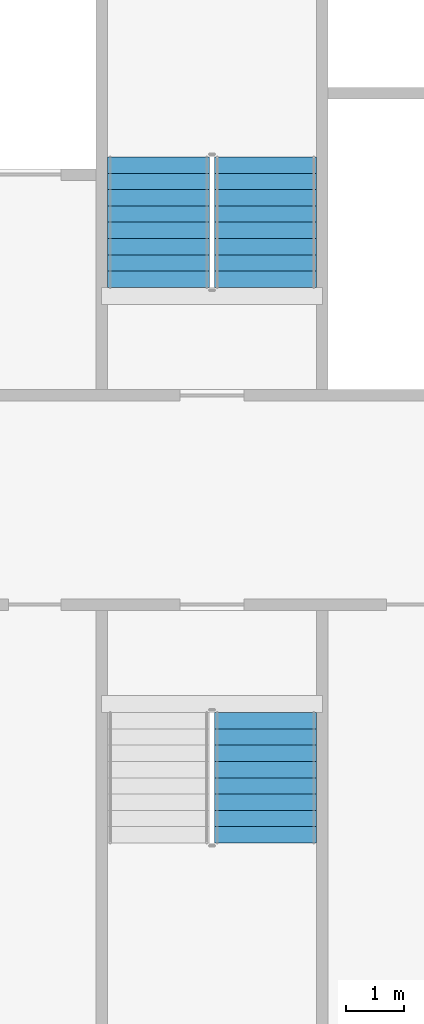
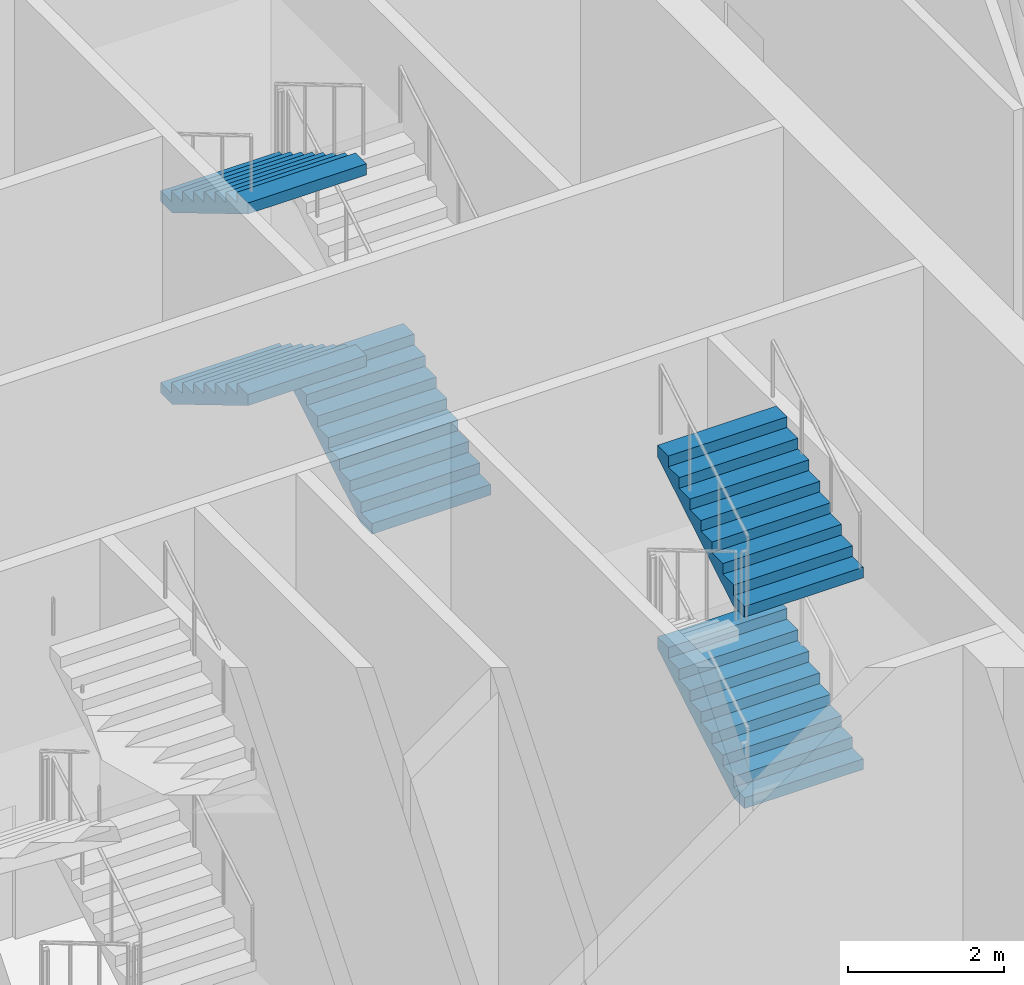
# One storey, part 27 of 40: 5 stair flights, 2 elements without a shape of their own.
"""IFC4 building model written with IfcOpenShell, lengths in metres."""

from ifc_helpers import new_model, si_unit, direction, frame, origin, place, context, subcontext, project, spatial, faceted_brep, material, type_object, element, aggregate, save


model = new_model("IFC4")

# Units and contexts
model_context = context("Model", 3, precision=1e-05, world=origin(), true_north=direction((0.0, 1.0)))
body_context = subcontext(model_context, "Body", "Model", "MODEL_VIEW")
ifc_project = project(units=[si_unit("LENGTHUNIT", "METRE"), si_unit("AREAUNIT", "SQUARE_METRE"), si_unit("VOLUMEUNIT", "CUBIC_METRE"), si_unit("PLANEANGLEUNIT", "RADIAN"), si_unit("MASSUNIT", "GRAM", prefix="KILO")], contexts=[model_context])

# Site, building, storey
site_placement = place(None, origin())
site = spatial("IfcSite", under=ifc_project, at=site_placement, CompositionType="ELEMENT")
building_placement = place(site_placement, origin())
building = spatial("IfcBuilding", under=site, at=building_placement, Name="Tarsis Ring Headquarters", CompositionType="ELEMENT")
storey_placement = place(building_placement, frame((0.0, 0.0, 354.800048828125)))
storey = spatial("IfcBuildingStorey", under=building, at=storey_placement, Name="L84", CompositionType="ELEMENT", Elevation=354.800048828125)

# Stair, stair flights
ifc_material_1 = material(Name="Core stair 1760")
stair_type = type_object("IfcStairType", Name="Core stair 1760", PredefinedType="HALF_TURN_STAIR", material=ifc_material_1)
stair_1_placement = place(storey_placement, origin())
stair_1 = element("IfcStair", 1, at=stair_1_placement, inside=storey, type_object=stair_type, Name="L84 Exit stair B", PredefinedType="HALF_TURN_STAIR")
ifc_material_2 = material(Name="Concrete C40/50", Category="concrete")
stair_flight_type = type_object("IfcStairFlightType", Name="Core stair flight 1760", PredefinedType="STRAIGHT", material=ifc_material_2)
stair_flight_1_placement = place(storey_placement, frame((5.419921875, 3.659912109375, 0.0), z_axis=(0.0, 0.0, 1.0), x_axis=(0.0, 1.0, 0.0)))
stair_flight_1 = element("IfcStairFlight", 2, at=stair_flight_1_placement, type_object=stair_flight_type, Name="Stair ST2 flight 1", NumberOfRisers=9, NumberOfTreads=8, PredefinedType="STRAIGHT", RiserHeight=0.166666667, TreadLength=0.28, context=body_context, shape_type="Brep", body=[
    faceted_brep([(0.0, 0.8798828125, 0.0), (0.0, 0.8798828125, 0.166748046875), (0.280029296875, 0.8798828125, 0.166748046875), (0.280029296875, 0.8798828125, 0.333251953125), (0.56005859375, 0.8798828125, 0.333251953125), (0.56005859375, 0.8798828125, 0.5), (0.840087890625, 0.8798828125, 0.5), (0.840087890625, 0.8798828125, 0.666748046875), (1.1201171875, 0.8798828125, 0.666748046875), (1.1201171875, 0.8798828125, 0.833251953125), (1.39990234375, 0.8798828125, 0.833251953125), (1.39990234375, 0.8798828125, 1.0), (1.679931640625, 0.8798828125, 1.0), (1.679931640625, 0.8798828125, 1.166748046875), (1.9599609375, 0.8798828125, 1.166748046875), (1.9599609375, 0.8798828125, 1.333251953125), (2.239990234375, 0.8798828125, 1.333251953125), (2.239990234375, 0.8798828125, 1.158935546875), (0.29296875, 0.8798828125, 0.0), (0.29296875, -0.8798828125, 0.0), (2.239990234375, -0.8798828125, 1.158935546875), (2.239990234375, -0.8798828125, 1.333251953125), (1.9599609375, -0.8798828125, 1.333251953125), (1.9599609375, -0.8798828125, 1.166748046875), (1.679931640625, -0.8798828125, 1.166748046875), (1.679931640625, -0.8798828125, 1.0), (1.39990234375, -0.8798828125, 1.0), (1.39990234375, -0.8798828125, 0.833251953125), (1.1201171875, -0.8798828125, 0.833251953125), (1.1201171875, -0.8798828125, 0.666748046875), (0.840087890625, -0.8798828125, 0.666748046875), (0.840087890625, -0.8798828125, 0.5), (0.56005859375, -0.8798828125, 0.5), (0.56005859375, -0.8798828125, 0.333251953125), (0.280029296875, -0.8798828125, 0.333251953125), (0.280029296875, -0.8798828125, 0.166748046875), (0.0, -0.8798828125, 0.166748046875), (0.0, -0.8798828125, 0.0), (0.0, -0.43994140625, 0.166748046875), (0.0, -0.43994140625, 0.0), (0.0, 0.0, 0.166748046875), (0.0, 0.0, 0.0), (0.0, 0.43994140625, 0.166748046875), (0.0, 0.43994140625, 0.0), (0.280029296875, -0.43994140625, 0.166748046875), (0.280029296875, 0.0, 0.166748046875), (0.280029296875, 0.43994140625, 0.166748046875), (0.280029296875, -0.43994140625, 0.333251953125), (0.280029296875, 0.0, 0.333251953125), (0.280029296875, 0.43994140625, 0.333251953125), (0.56005859375, -0.43994140625, 0.333251953125), (0.56005859375, 0.0, 0.333251953125), (0.56005859375, 0.43994140625, 0.333251953125), (0.56005859375, -0.43994140625, 0.5), (0.56005859375, 0.0, 0.5), (0.56005859375, 0.43994140625, 0.5), (0.840087890625, -0.43994140625, 0.5), (0.840087890625, 0.0, 0.5), (0.840087890625, 0.43994140625, 0.5), (0.840087890625, -0.43994140625, 0.666748046875), (0.840087890625, 0.0, 0.666748046875), (0.840087890625, 0.43994140625, 0.666748046875), (1.1201171875, -0.43994140625, 0.666748046875), (1.1201171875, 0.0, 0.666748046875), (1.1201171875, 0.43994140625, 0.666748046875), (1.1201171875, -0.43994140625, 0.833251953125), (1.1201171875, 0.0, 0.833251953125), (1.1201171875, 0.43994140625, 0.833251953125), (1.39990234375, -0.43994140625, 0.833251953125), (1.39990234375, 0.0, 0.833251953125), (1.39990234375, 0.43994140625, 0.833251953125), (1.39990234375, -0.43994140625, 1.0), (1.39990234375, 0.0, 1.0), (1.39990234375, 0.43994140625, 1.0), (1.679931640625, -0.43994140625, 1.0), (1.679931640625, 0.0, 1.0), (1.679931640625, 0.43994140625, 1.0), (1.679931640625, -0.43994140625, 1.166748046875), (1.679931640625, 0.0, 1.166748046875), (1.679931640625, 0.43994140625, 1.166748046875), (1.9599609375, -0.43994140625, 1.166748046875), (1.9599609375, 0.0, 1.166748046875), (1.9599609375, 0.43994140625, 1.166748046875), (1.9599609375, -0.43994140625, 1.333251953125), (1.9599609375, 0.0, 1.333251953125), (1.9599609375, 0.43994140625, 1.333251953125), (2.239990234375, -0.43994140625, 1.333251953125), (2.239990234375, 0.0, 1.333251953125), (2.239990234375, 0.43994140625, 1.333251953125), (2.239990234375, -0.43994140625, 1.158935546875), (2.239990234375, 0.0, 1.158935546875), (2.239990234375, 0.43994140625, 1.158935546875), (0.29296875, -0.43994140625, 0.0), (0.29296875, 0.0, 0.0), (0.29296875, 0.43994140625, 0.0)], [[[0, 1, 2, 3, 4, 5, 6, 7, 8, 9, 10, 11, 12, 13, 14, 15, 16, 17, 18]], [[19, 20, 21, 22, 23, 24, 25, 26, 27, 28, 29, 30, 31, 32, 33, 34, 35, 36, 37]], [[37, 36, 38, 39]], [[39, 38, 40, 41]], [[41, 40, 42, 43]], [[43, 42, 1, 0]], [[36, 35, 44, 38]], [[38, 44, 45, 40]], [[40, 45, 46, 42]], [[42, 46, 2, 1]], [[35, 34, 47, 44]], [[44, 47, 48, 45]], [[45, 48, 49, 46]], [[46, 49, 3, 2]], [[34, 33, 50, 47]], [[47, 50, 51, 48]], [[48, 51, 52, 49]], [[49, 52, 4, 3]], [[33, 32, 53, 50]], [[50, 53, 54, 51]], [[51, 54, 55, 52]], [[52, 55, 5, 4]], [[32, 31, 56, 53]], [[53, 56, 57, 54]], [[54, 57, 58, 55]], [[55, 58, 6, 5]], [[31, 30, 59, 56]], [[56, 59, 60, 57]], [[57, 60, 61, 58]], [[58, 61, 7, 6]], [[30, 29, 62, 59]], [[59, 62, 63, 60]], [[60, 63, 64, 61]], [[61, 64, 8, 7]], [[29, 28, 65, 62]], [[62, 65, 66, 63]], [[63, 66, 67, 64]], [[64, 67, 9, 8]], [[28, 27, 68, 65]], [[65, 68, 69, 66]], [[66, 69, 70, 67]], [[67, 70, 10, 9]], [[27, 26, 71, 68]], [[68, 71, 72, 69]], [[69, 72, 73, 70]], [[70, 73, 11, 10]], [[26, 25, 74, 71]], [[71, 74, 75, 72]], [[72, 75, 76, 73]], [[73, 76, 12, 11]], [[25, 24, 77, 74]], [[74, 77, 78, 75]], [[75, 78, 79, 76]], [[76, 79, 13, 12]], [[24, 23, 80, 77]], [[77, 80, 81, 78]], [[78, 81, 82, 79]], [[79, 82, 14, 13]], [[23, 22, 83, 80]], [[80, 83, 84, 81]], [[81, 84, 85, 82]], [[82, 85, 15, 14]], [[22, 21, 86, 83]], [[83, 86, 87, 84]], [[84, 87, 88, 85]], [[85, 88, 16, 15]], [[21, 20, 89, 86]], [[86, 89, 90, 87]], [[87, 90, 91, 88]], [[88, 91, 17, 16]], [[20, 19, 92, 89]], [[89, 92, 93, 90]], [[90, 93, 94, 91]], [[91, 94, 18, 17]], [[19, 37, 39, 92]], [[92, 39, 41, 93]], [[93, 41, 43, 94]], [[94, 43, 0, 18]]]),
])
stair_flight_2_placement = place(storey_placement, frame((3.580078125, 5.89990234375, 1.5), z_axis=(0.0, 0.0, 1.0), x_axis=(0.0, -1.0, 0.0)))
stair_flight_2 = element("IfcStairFlight", 3, at=stair_flight_2_placement, type_object=stair_flight_type, Name="Stair ST2 flight 2", NumberOfRisers=9, NumberOfTreads=8, PredefinedType="STRAIGHT", RiserHeight=0.166666667, TreadLength=0.28, context=body_context, shape_type="Brep", body=[
    faceted_brep([(0.0, 0.8798828125, 0.0), (0.0, 0.8798828125, 0.166748046875), (0.280029296875, 0.8798828125, 0.166748046875), (0.280029296875, 0.8798828125, 0.333251953125), (0.56005859375, 0.8798828125, 0.333251953125), (0.56005859375, 0.8798828125, 0.5), (0.840087890625, 0.8798828125, 0.5), (0.840087890625, 0.8798828125, 0.666748046875), (1.1201171875, 0.8798828125, 0.666748046875), (1.1201171875, 0.8798828125, 0.833251953125), (1.39990234375, 0.8798828125, 0.833251953125), (1.39990234375, 0.8798828125, 1.0), (1.679931640625, 0.8798828125, 1.0), (1.679931640625, 0.8798828125, 1.166748046875), (1.9599609375, 0.8798828125, 1.166748046875), (1.9599609375, 0.8798828125, 1.333251953125), (2.239990234375, 0.8798828125, 1.333251953125), (2.239990234375, 0.8798828125, 1.158935546875), (0.29296875, 0.8798828125, 0.0), (0.29296875, -0.8798828125, 0.0), (2.239990234375, -0.8798828125, 1.158935546875), (2.239990234375, -0.8798828125, 1.333251953125), (1.9599609375, -0.8798828125, 1.333251953125), (1.9599609375, -0.8798828125, 1.166748046875), (1.679931640625, -0.8798828125, 1.166748046875), (1.679931640625, -0.8798828125, 1.0), (1.39990234375, -0.8798828125, 1.0), (1.39990234375, -0.8798828125, 0.833251953125), (1.1201171875, -0.8798828125, 0.833251953125), (1.1201171875, -0.8798828125, 0.666748046875), (0.840087890625, -0.8798828125, 0.666748046875), (0.840087890625, -0.8798828125, 0.5), (0.56005859375, -0.8798828125, 0.5), (0.56005859375, -0.8798828125, 0.333251953125), (0.280029296875, -0.8798828125, 0.333251953125), (0.280029296875, -0.8798828125, 0.166748046875), (0.0, -0.8798828125, 0.166748046875), (0.0, -0.8798828125, 0.0), (0.0, -0.43994140625, 0.166748046875), (0.0, -0.43994140625, 0.0), (0.0, 0.0, 0.166748046875), (0.0, 0.0, 0.0), (0.0, 0.43994140625, 0.166748046875), (0.0, 0.43994140625, 0.0), (0.280029296875, -0.43994140625, 0.166748046875), (0.280029296875, 0.0, 0.166748046875), (0.280029296875, 0.43994140625, 0.166748046875), (0.280029296875, -0.43994140625, 0.333251953125), (0.280029296875, 0.0, 0.333251953125), (0.280029296875, 0.43994140625, 0.333251953125), (0.56005859375, -0.43994140625, 0.333251953125), (0.56005859375, 0.0, 0.333251953125), (0.56005859375, 0.43994140625, 0.333251953125), (0.56005859375, -0.43994140625, 0.5), (0.56005859375, 0.0, 0.5), (0.56005859375, 0.43994140625, 0.5), (0.840087890625, -0.43994140625, 0.5), (0.840087890625, 0.0, 0.5), (0.840087890625, 0.43994140625, 0.5), (0.840087890625, -0.43994140625, 0.666748046875), (0.840087890625, 0.0, 0.666748046875), (0.840087890625, 0.43994140625, 0.666748046875), (1.1201171875, -0.43994140625, 0.666748046875), (1.1201171875, 0.0, 0.666748046875), (1.1201171875, 0.43994140625, 0.666748046875), (1.1201171875, -0.43994140625, 0.833251953125), (1.1201171875, 0.0, 0.833251953125), (1.1201171875, 0.43994140625, 0.833251953125), (1.39990234375, -0.43994140625, 0.833251953125), (1.39990234375, 0.0, 0.833251953125), (1.39990234375, 0.43994140625, 0.833251953125), (1.39990234375, -0.43994140625, 1.0), (1.39990234375, 0.0, 1.0), (1.39990234375, 0.43994140625, 1.0), (1.679931640625, -0.43994140625, 1.0), (1.679931640625, 0.0, 1.0), (1.679931640625, 0.43994140625, 1.0), (1.679931640625, -0.43994140625, 1.166748046875), (1.679931640625, 0.0, 1.166748046875), (1.679931640625, 0.43994140625, 1.166748046875), (1.9599609375, -0.43994140625, 1.166748046875), (1.9599609375, 0.0, 1.166748046875), (1.9599609375, 0.43994140625, 1.166748046875), (1.9599609375, -0.43994140625, 1.333251953125), (1.9599609375, 0.0, 1.333251953125), (1.9599609375, 0.43994140625, 1.333251953125), (2.239990234375, -0.43994140625, 1.333251953125), (2.239990234375, 0.0, 1.333251953125), (2.239990234375, 0.43994140625, 1.333251953125), (2.239990234375, -0.43994140625, 1.158935546875), (2.239990234375, 0.0, 1.158935546875), (2.239990234375, 0.43994140625, 1.158935546875), (0.29296875, -0.43994140625, 0.0), (0.29296875, 0.0, 0.0), (0.29296875, 0.43994140625, 0.0)], [[[0, 1, 2, 3, 4, 5, 6, 7, 8, 9, 10, 11, 12, 13, 14, 15, 16, 17, 18]], [[19, 20, 21, 22, 23, 24, 25, 26, 27, 28, 29, 30, 31, 32, 33, 34, 35, 36, 37]], [[37, 36, 38, 39]], [[39, 38, 40, 41]], [[41, 40, 42, 43]], [[43, 42, 1, 0]], [[36, 35, 44, 38]], [[38, 44, 45, 40]], [[40, 45, 46, 42]], [[42, 46, 2, 1]], [[35, 34, 47, 44]], [[44, 47, 48, 45]], [[45, 48, 49, 46]], [[46, 49, 3, 2]], [[34, 33, 50, 47]], [[47, 50, 51, 48]], [[48, 51, 52, 49]], [[49, 52, 4, 3]], [[33, 32, 53, 50]], [[50, 53, 54, 51]], [[51, 54, 55, 52]], [[52, 55, 5, 4]], [[32, 31, 56, 53]], [[53, 56, 57, 54]], [[54, 57, 58, 55]], [[55, 58, 6, 5]], [[31, 30, 59, 56]], [[56, 59, 60, 57]], [[57, 60, 61, 58]], [[58, 61, 7, 6]], [[30, 29, 62, 59]], [[59, 62, 63, 60]], [[60, 63, 64, 61]], [[61, 64, 8, 7]], [[29, 28, 65, 62]], [[62, 65, 66, 63]], [[63, 66, 67, 64]], [[64, 67, 9, 8]], [[28, 27, 68, 65]], [[65, 68, 69, 66]], [[66, 69, 70, 67]], [[67, 70, 10, 9]], [[27, 26, 71, 68]], [[68, 71, 72, 69]], [[69, 72, 73, 70]], [[70, 73, 11, 10]], [[26, 25, 74, 71]], [[71, 74, 75, 72]], [[72, 75, 76, 73]], [[73, 76, 12, 11]], [[25, 24, 77, 74]], [[74, 77, 78, 75]], [[75, 78, 79, 76]], [[76, 79, 13, 12]], [[24, 23, 80, 77]], [[77, 80, 81, 78]], [[78, 81, 82, 79]], [[79, 82, 14, 13]], [[23, 22, 83, 80]], [[80, 83, 84, 81]], [[81, 84, 85, 82]], [[82, 85, 15, 14]], [[22, 21, 86, 83]], [[83, 86, 87, 84]], [[84, 87, 88, 85]], [[85, 88, 16, 15]], [[21, 20, 89, 86]], [[86, 89, 90, 87]], [[87, 90, 91, 88]], [[88, 91, 17, 16]], [[20, 19, 92, 89]], [[89, 92, 93, 90]], [[90, 93, 94, 91]], [[91, 94, 18, 17]], [[19, 37, 39, 92]], [[92, 39, 41, 93]], [[93, 41, 43, 94]], [[94, 43, 0, 18]]]),
])
stair_flight_3_placement = place(storey_placement, frame((3.580078125, 5.89990234375, 4.5), z_axis=(0.0, 0.0, 1.0), x_axis=(0.0, -1.0, 0.0)))
stair_flight_3 = element("IfcStairFlight", 4, at=stair_flight_3_placement, type_object=stair_flight_type, Name="Stair ST2 flight 4", NumberOfRisers=9, NumberOfTreads=8, PredefinedType="STRAIGHT", RiserHeight=0.166666667, TreadLength=0.28, context=body_context, shape_type="Brep", body=[
    faceted_brep([(0.0, 0.8798828125, 0.0), (0.0, 0.8798828125, 0.166748046875), (0.280029296875, 0.8798828125, 0.166748046875), (0.280029296875, 0.8798828125, 0.333251953125), (0.56005859375, 0.8798828125, 0.333251953125), (0.56005859375, 0.8798828125, 0.5), (0.840087890625, 0.8798828125, 0.5), (0.840087890625, 0.8798828125, 0.666748046875), (1.1201171875, 0.8798828125, 0.666748046875), (1.1201171875, 0.8798828125, 0.833251953125), (1.39990234375, 0.8798828125, 0.833251953125), (1.39990234375, 0.8798828125, 1.0), (1.679931640625, 0.8798828125, 1.0), (1.679931640625, 0.8798828125, 1.166748046875), (1.9599609375, 0.8798828125, 1.166748046875), (1.9599609375, 0.8798828125, 1.333251953125), (2.239990234375, 0.8798828125, 1.333251953125), (2.239990234375, 0.8798828125, 1.158935546875), (0.29296875, 0.8798828125, 0.0), (0.29296875, -0.8798828125, 0.0), (2.239990234375, -0.8798828125, 1.158935546875), (2.239990234375, -0.8798828125, 1.333251953125), (1.9599609375, -0.8798828125, 1.333251953125), (1.9599609375, -0.8798828125, 1.166748046875), (1.679931640625, -0.8798828125, 1.166748046875), (1.679931640625, -0.8798828125, 1.0), (1.39990234375, -0.8798828125, 1.0), (1.39990234375, -0.8798828125, 0.833251953125), (1.1201171875, -0.8798828125, 0.833251953125), (1.1201171875, -0.8798828125, 0.666748046875), (0.840087890625, -0.8798828125, 0.666748046875), (0.840087890625, -0.8798828125, 0.5), (0.56005859375, -0.8798828125, 0.5), (0.56005859375, -0.8798828125, 0.333251953125), (0.280029296875, -0.8798828125, 0.333251953125), (0.280029296875, -0.8798828125, 0.166748046875), (0.0, -0.8798828125, 0.166748046875), (0.0, -0.8798828125, 0.0), (0.0, -0.43994140625, 0.166748046875), (0.0, -0.43994140625, 0.0), (0.0, 0.0, 0.166748046875), (0.0, 0.0, 0.0), (0.0, 0.43994140625, 0.166748046875), (0.0, 0.43994140625, 0.0), (0.280029296875, -0.43994140625, 0.166748046875), (0.280029296875, 0.0, 0.166748046875), (0.280029296875, 0.43994140625, 0.166748046875), (0.280029296875, -0.43994140625, 0.333251953125), (0.280029296875, 0.0, 0.333251953125), (0.280029296875, 0.43994140625, 0.333251953125), (0.56005859375, -0.43994140625, 0.333251953125), (0.56005859375, 0.0, 0.333251953125), (0.56005859375, 0.43994140625, 0.333251953125), (0.56005859375, -0.43994140625, 0.5), (0.56005859375, 0.0, 0.5), (0.56005859375, 0.43994140625, 0.5), (0.840087890625, -0.43994140625, 0.5), (0.840087890625, 0.0, 0.5), (0.840087890625, 0.43994140625, 0.5), (0.840087890625, -0.43994140625, 0.666748046875), (0.840087890625, 0.0, 0.666748046875), (0.840087890625, 0.43994140625, 0.666748046875), (1.1201171875, -0.43994140625, 0.666748046875), (1.1201171875, 0.0, 0.666748046875), (1.1201171875, 0.43994140625, 0.666748046875), (1.1201171875, -0.43994140625, 0.833251953125), (1.1201171875, 0.0, 0.833251953125), (1.1201171875, 0.43994140625, 0.833251953125), (1.39990234375, -0.43994140625, 0.833251953125), (1.39990234375, 0.0, 0.833251953125), (1.39990234375, 0.43994140625, 0.833251953125), (1.39990234375, -0.43994140625, 1.0), (1.39990234375, 0.0, 1.0), (1.39990234375, 0.43994140625, 1.0), (1.679931640625, -0.43994140625, 1.0), (1.679931640625, 0.0, 1.0), (1.679931640625, 0.43994140625, 1.0), (1.679931640625, -0.43994140625, 1.166748046875), (1.679931640625, 0.0, 1.166748046875), (1.679931640625, 0.43994140625, 1.166748046875), (1.9599609375, -0.43994140625, 1.166748046875), (1.9599609375, 0.0, 1.166748046875), (1.9599609375, 0.43994140625, 1.166748046875), (1.9599609375, -0.43994140625, 1.333251953125), (1.9599609375, 0.0, 1.333251953125), (1.9599609375, 0.43994140625, 1.333251953125), (2.239990234375, -0.43994140625, 1.333251953125), (2.239990234375, 0.0, 1.333251953125), (2.239990234375, 0.43994140625, 1.333251953125), (2.239990234375, -0.43994140625, 1.158935546875), (2.239990234375, 0.0, 1.158935546875), (2.239990234375, 0.43994140625, 1.158935546875), (0.29296875, -0.43994140625, 0.0), (0.29296875, 0.0, 0.0), (0.29296875, 0.43994140625, 0.0)], [[[0, 1, 2, 3, 4, 5, 6, 7, 8, 9, 10, 11, 12, 13, 14, 15, 16, 17, 18]], [[19, 20, 21, 22, 23, 24, 25, 26, 27, 28, 29, 30, 31, 32, 33, 34, 35, 36, 37]], [[37, 36, 38, 39]], [[39, 38, 40, 41]], [[41, 40, 42, 43]], [[43, 42, 1, 0]], [[36, 35, 44, 38]], [[38, 44, 45, 40]], [[40, 45, 46, 42]], [[42, 46, 2, 1]], [[35, 34, 47, 44]], [[44, 47, 48, 45]], [[45, 48, 49, 46]], [[46, 49, 3, 2]], [[34, 33, 50, 47]], [[47, 50, 51, 48]], [[48, 51, 52, 49]], [[49, 52, 4, 3]], [[33, 32, 53, 50]], [[50, 53, 54, 51]], [[51, 54, 55, 52]], [[52, 55, 5, 4]], [[32, 31, 56, 53]], [[53, 56, 57, 54]], [[54, 57, 58, 55]], [[55, 58, 6, 5]], [[31, 30, 59, 56]], [[56, 59, 60, 57]], [[57, 60, 61, 58]], [[58, 61, 7, 6]], [[30, 29, 62, 59]], [[59, 62, 63, 60]], [[60, 63, 64, 61]], [[61, 64, 8, 7]], [[29, 28, 65, 62]], [[62, 65, 66, 63]], [[63, 66, 67, 64]], [[64, 67, 9, 8]], [[28, 27, 68, 65]], [[65, 68, 69, 66]], [[66, 69, 70, 67]], [[67, 70, 10, 9]], [[27, 26, 71, 68]], [[68, 71, 72, 69]], [[69, 72, 73, 70]], [[70, 73, 11, 10]], [[26, 25, 74, 71]], [[71, 74, 75, 72]], [[72, 75, 76, 73]], [[73, 76, 12, 11]], [[25, 24, 77, 74]], [[74, 77, 78, 75]], [[75, 78, 79, 76]], [[76, 79, 13, 12]], [[24, 23, 80, 77]], [[77, 80, 81, 78]], [[78, 81, 82, 79]], [[79, 82, 14, 13]], [[23, 22, 83, 80]], [[80, 83, 84, 81]], [[81, 84, 85, 82]], [[82, 85, 15, 14]], [[22, 21, 86, 83]], [[83, 86, 87, 84]], [[84, 87, 88, 85]], [[85, 88, 16, 15]], [[21, 20, 89, 86]], [[86, 89, 90, 87]], [[87, 90, 91, 88]], [[88, 91, 17, 16]], [[20, 19, 92, 89]], [[89, 92, 93, 90]], [[90, 93, 94, 91]], [[91, 94, 18, 17]], [[19, 37, 39, 92]], [[92, 39, 41, 93]], [[93, 41, 43, 94]], [[94, 43, 0, 18]]]),
])
aggregate(stair_1, [stair_flight_1, stair_flight_2, stair_flight_3])

stair_2_placement = place(storey_placement, origin())
stair_2 = element("IfcStair", 5, at=stair_2_placement, inside=storey, type_object=stair_type, Name="L84 Exit stair D", PredefinedType="HALF_TURN_STAIR")
stair_flight_4_placement = place(storey_placement, frame((5.419921875, -5.89990234375, 1.5), z_axis=(0.0, 0.0, 1.0), x_axis=(0.0, 1.0, 0.0)))
stair_flight_4 = element("IfcStairFlight", 6, at=stair_flight_4_placement, type_object=stair_flight_type, Name="Stair ST4 flight 2", NumberOfRisers=9, NumberOfTreads=8, PredefinedType="STRAIGHT", RiserHeight=0.166666667, TreadLength=0.28, context=body_context, shape_type="Brep", body=[
    faceted_brep([(0.0, 0.8798828125, 0.0), (0.0, 0.8798828125, 0.166748046875), (0.280029296875, 0.8798828125, 0.166748046875), (0.280029296875, 0.8798828125, 0.333251953125), (0.56005859375, 0.8798828125, 0.333251953125), (0.56005859375, 0.8798828125, 0.5), (0.840087890625, 0.8798828125, 0.5), (0.840087890625, 0.8798828125, 0.666748046875), (1.1201171875, 0.8798828125, 0.666748046875), (1.1201171875, 0.8798828125, 0.833251953125), (1.39990234375, 0.8798828125, 0.833251953125), (1.39990234375, 0.8798828125, 1.0), (1.679931640625, 0.8798828125, 1.0), (1.679931640625, 0.8798828125, 1.166748046875), (1.9599609375, 0.8798828125, 1.166748046875), (1.9599609375, 0.8798828125, 1.333251953125), (2.239990234375, 0.8798828125, 1.333251953125), (2.239990234375, 0.8798828125, 1.158935546875), (0.29296875, 0.8798828125, 0.0), (0.29296875, -0.8798828125, 0.0), (2.239990234375, -0.8798828125, 1.158935546875), (2.239990234375, -0.8798828125, 1.333251953125), (1.9599609375, -0.8798828125, 1.333251953125), (1.9599609375, -0.8798828125, 1.166748046875), (1.679931640625, -0.8798828125, 1.166748046875), (1.679931640625, -0.8798828125, 1.0), (1.39990234375, -0.8798828125, 1.0), (1.39990234375, -0.8798828125, 0.833251953125), (1.1201171875, -0.8798828125, 0.833251953125), (1.1201171875, -0.8798828125, 0.666748046875), (0.840087890625, -0.8798828125, 0.666748046875), (0.840087890625, -0.8798828125, 0.5), (0.56005859375, -0.8798828125, 0.5), (0.56005859375, -0.8798828125, 0.333251953125), (0.280029296875, -0.8798828125, 0.333251953125), (0.280029296875, -0.8798828125, 0.166748046875), (0.0, -0.8798828125, 0.166748046875), (0.0, -0.8798828125, 0.0), (0.0, -0.43994140625, 0.166748046875), (0.0, -0.43994140625, 0.0), (0.0, 0.0, 0.166748046875), (0.0, 0.0, 0.0), (0.0, 0.43994140625, 0.166748046875), (0.0, 0.43994140625, 0.0), (0.280029296875, -0.43994140625, 0.166748046875), (0.280029296875, 0.0, 0.166748046875), (0.280029296875, 0.43994140625, 0.166748046875), (0.280029296875, -0.43994140625, 0.333251953125), (0.280029296875, 0.0, 0.333251953125), (0.280029296875, 0.43994140625, 0.333251953125), (0.56005859375, -0.43994140625, 0.333251953125), (0.56005859375, 0.0, 0.333251953125), (0.56005859375, 0.43994140625, 0.333251953125), (0.56005859375, -0.43994140625, 0.5), (0.56005859375, 0.0, 0.5), (0.56005859375, 0.43994140625, 0.5), (0.840087890625, -0.43994140625, 0.5), (0.840087890625, 0.0, 0.5), (0.840087890625, 0.43994140625, 0.5), (0.840087890625, -0.43994140625, 0.666748046875), (0.840087890625, 0.0, 0.666748046875), (0.840087890625, 0.43994140625, 0.666748046875), (1.1201171875, -0.43994140625, 0.666748046875), (1.1201171875, 0.0, 0.666748046875), (1.1201171875, 0.43994140625, 0.666748046875), (1.1201171875, -0.43994140625, 0.833251953125), (1.1201171875, 0.0, 0.833251953125), (1.1201171875, 0.43994140625, 0.833251953125), (1.39990234375, -0.43994140625, 0.833251953125), (1.39990234375, 0.0, 0.833251953125), (1.39990234375, 0.43994140625, 0.833251953125), (1.39990234375, -0.43994140625, 1.0), (1.39990234375, 0.0, 1.0), (1.39990234375, 0.43994140625, 1.0), (1.679931640625, -0.43994140625, 1.0), (1.679931640625, 0.0, 1.0), (1.679931640625, 0.43994140625, 1.0), (1.679931640625, -0.43994140625, 1.166748046875), (1.679931640625, 0.0, 1.166748046875), (1.679931640625, 0.43994140625, 1.166748046875), (1.9599609375, -0.43994140625, 1.166748046875), (1.9599609375, 0.0, 1.166748046875), (1.9599609375, 0.43994140625, 1.166748046875), (1.9599609375, -0.43994140625, 1.333251953125), (1.9599609375, 0.0, 1.333251953125), (1.9599609375, 0.43994140625, 1.333251953125), (2.239990234375, -0.43994140625, 1.333251953125), (2.239990234375, 0.0, 1.333251953125), (2.239990234375, 0.43994140625, 1.333251953125), (2.239990234375, -0.43994140625, 1.158935546875), (2.239990234375, 0.0, 1.158935546875), (2.239990234375, 0.43994140625, 1.158935546875), (0.29296875, -0.43994140625, 0.0), (0.29296875, 0.0, 0.0), (0.29296875, 0.43994140625, 0.0)], [[[0, 1, 2, 3, 4, 5, 6, 7, 8, 9, 10, 11, 12, 13, 14, 15, 16, 17, 18]], [[19, 20, 21, 22, 23, 24, 25, 26, 27, 28, 29, 30, 31, 32, 33, 34, 35, 36, 37]], [[37, 36, 38, 39]], [[39, 38, 40, 41]], [[41, 40, 42, 43]], [[43, 42, 1, 0]], [[36, 35, 44, 38]], [[38, 44, 45, 40]], [[40, 45, 46, 42]], [[42, 46, 2, 1]], [[35, 34, 47, 44]], [[44, 47, 48, 45]], [[45, 48, 49, 46]], [[46, 49, 3, 2]], [[34, 33, 50, 47]], [[47, 50, 51, 48]], [[48, 51, 52, 49]], [[49, 52, 4, 3]], [[33, 32, 53, 50]], [[50, 53, 54, 51]], [[51, 54, 55, 52]], [[52, 55, 5, 4]], [[32, 31, 56, 53]], [[53, 56, 57, 54]], [[54, 57, 58, 55]], [[55, 58, 6, 5]], [[31, 30, 59, 56]], [[56, 59, 60, 57]], [[57, 60, 61, 58]], [[58, 61, 7, 6]], [[30, 29, 62, 59]], [[59, 62, 63, 60]], [[60, 63, 64, 61]], [[61, 64, 8, 7]], [[29, 28, 65, 62]], [[62, 65, 66, 63]], [[63, 66, 67, 64]], [[64, 67, 9, 8]], [[28, 27, 68, 65]], [[65, 68, 69, 66]], [[66, 69, 70, 67]], [[67, 70, 10, 9]], [[27, 26, 71, 68]], [[68, 71, 72, 69]], [[69, 72, 73, 70]], [[70, 73, 11, 10]], [[26, 25, 74, 71]], [[71, 74, 75, 72]], [[72, 75, 76, 73]], [[73, 76, 12, 11]], [[25, 24, 77, 74]], [[74, 77, 78, 75]], [[75, 78, 79, 76]], [[76, 79, 13, 12]], [[24, 23, 80, 77]], [[77, 80, 81, 78]], [[78, 81, 82, 79]], [[79, 82, 14, 13]], [[23, 22, 83, 80]], [[80, 83, 84, 81]], [[81, 84, 85, 82]], [[82, 85, 15, 14]], [[22, 21, 86, 83]], [[83, 86, 87, 84]], [[84, 87, 88, 85]], [[85, 88, 16, 15]], [[21, 20, 89, 86]], [[86, 89, 90, 87]], [[87, 90, 91, 88]], [[88, 91, 17, 16]], [[20, 19, 92, 89]], [[89, 92, 93, 90]], [[90, 93, 94, 91]], [[91, 94, 18, 17]], [[19, 37, 39, 92]], [[92, 39, 41, 93]], [[93, 41, 43, 94]], [[94, 43, 0, 18]]]),
])
stair_flight_5_placement = place(storey_placement, frame((5.419921875, -5.89990234375, 4.5), z_axis=(0.0, 0.0, 1.0), x_axis=(0.0, 1.0, 0.0)))
stair_flight_5 = element("IfcStairFlight", 7, at=stair_flight_5_placement, type_object=stair_flight_type, Name="Stair ST4 flight 4", NumberOfRisers=9, NumberOfTreads=8, PredefinedType="STRAIGHT", RiserHeight=0.166666667, TreadLength=0.28, context=body_context, shape_type="Brep", body=[
    faceted_brep([(0.0, 0.8798828125, 0.0), (0.0, 0.8798828125, 0.166748046875), (0.280029296875, 0.8798828125, 0.166748046875), (0.280029296875, 0.8798828125, 0.333251953125), (0.56005859375, 0.8798828125, 0.333251953125), (0.56005859375, 0.8798828125, 0.5), (0.840087890625, 0.8798828125, 0.5), (0.840087890625, 0.8798828125, 0.666748046875), (1.1201171875, 0.8798828125, 0.666748046875), (1.1201171875, 0.8798828125, 0.833251953125), (1.39990234375, 0.8798828125, 0.833251953125), (1.39990234375, 0.8798828125, 1.0), (1.679931640625, 0.8798828125, 1.0), (1.679931640625, 0.8798828125, 1.166748046875), (1.9599609375, 0.8798828125, 1.166748046875), (1.9599609375, 0.8798828125, 1.333251953125), (2.239990234375, 0.8798828125, 1.333251953125), (2.239990234375, 0.8798828125, 1.158935546875), (0.29296875, 0.8798828125, 0.0), (0.29296875, -0.8798828125, 0.0), (2.239990234375, -0.8798828125, 1.158935546875), (2.239990234375, -0.8798828125, 1.333251953125), (1.9599609375, -0.8798828125, 1.333251953125), (1.9599609375, -0.8798828125, 1.166748046875), (1.679931640625, -0.8798828125, 1.166748046875), (1.679931640625, -0.8798828125, 1.0), (1.39990234375, -0.8798828125, 1.0), (1.39990234375, -0.8798828125, 0.833251953125), (1.1201171875, -0.8798828125, 0.833251953125), (1.1201171875, -0.8798828125, 0.666748046875), (0.840087890625, -0.8798828125, 0.666748046875), (0.840087890625, -0.8798828125, 0.5), (0.56005859375, -0.8798828125, 0.5), (0.56005859375, -0.8798828125, 0.333251953125), (0.280029296875, -0.8798828125, 0.333251953125), (0.280029296875, -0.8798828125, 0.166748046875), (0.0, -0.8798828125, 0.166748046875), (0.0, -0.8798828125, 0.0), (0.0, -0.43994140625, 0.166748046875), (0.0, -0.43994140625, 0.0), (0.0, 0.0, 0.166748046875), (0.0, 0.0, 0.0), (0.0, 0.43994140625, 0.166748046875), (0.0, 0.43994140625, 0.0), (0.280029296875, -0.43994140625, 0.166748046875), (0.280029296875, 0.0, 0.166748046875), (0.280029296875, 0.43994140625, 0.166748046875), (0.280029296875, -0.43994140625, 0.333251953125), (0.280029296875, 0.0, 0.333251953125), (0.280029296875, 0.43994140625, 0.333251953125), (0.56005859375, -0.43994140625, 0.333251953125), (0.56005859375, 0.0, 0.333251953125), (0.56005859375, 0.43994140625, 0.333251953125), (0.56005859375, -0.43994140625, 0.5), (0.56005859375, 0.0, 0.5), (0.56005859375, 0.43994140625, 0.5), (0.840087890625, -0.43994140625, 0.5), (0.840087890625, 0.0, 0.5), (0.840087890625, 0.43994140625, 0.5), (0.840087890625, -0.43994140625, 0.666748046875), (0.840087890625, 0.0, 0.666748046875), (0.840087890625, 0.43994140625, 0.666748046875), (1.1201171875, -0.43994140625, 0.666748046875), (1.1201171875, 0.0, 0.666748046875), (1.1201171875, 0.43994140625, 0.666748046875), (1.1201171875, -0.43994140625, 0.833251953125), (1.1201171875, 0.0, 0.833251953125), (1.1201171875, 0.43994140625, 0.833251953125), (1.39990234375, -0.43994140625, 0.833251953125), (1.39990234375, 0.0, 0.833251953125), (1.39990234375, 0.43994140625, 0.833251953125), (1.39990234375, -0.43994140625, 1.0), (1.39990234375, 0.0, 1.0), (1.39990234375, 0.43994140625, 1.0), (1.679931640625, -0.43994140625, 1.0), (1.679931640625, 0.0, 1.0), (1.679931640625, 0.43994140625, 1.0), (1.679931640625, -0.43994140625, 1.166748046875), (1.679931640625, 0.0, 1.166748046875), (1.679931640625, 0.43994140625, 1.166748046875), (1.9599609375, -0.43994140625, 1.166748046875), (1.9599609375, 0.0, 1.166748046875), (1.9599609375, 0.43994140625, 1.166748046875), (1.9599609375, -0.43994140625, 1.333251953125), (1.9599609375, 0.0, 1.333251953125), (1.9599609375, 0.43994140625, 1.333251953125), (2.239990234375, -0.43994140625, 1.333251953125), (2.239990234375, 0.0, 1.333251953125), (2.239990234375, 0.43994140625, 1.333251953125), (2.239990234375, -0.43994140625, 1.158935546875), (2.239990234375, 0.0, 1.158935546875), (2.239990234375, 0.43994140625, 1.158935546875), (0.29296875, -0.43994140625, 0.0), (0.29296875, 0.0, 0.0), (0.29296875, 0.43994140625, 0.0)], [[[0, 1, 2, 3, 4, 5, 6, 7, 8, 9, 10, 11, 12, 13, 14, 15, 16, 17, 18]], [[19, 20, 21, 22, 23, 24, 25, 26, 27, 28, 29, 30, 31, 32, 33, 34, 35, 36, 37]], [[37, 36, 38, 39]], [[39, 38, 40, 41]], [[41, 40, 42, 43]], [[43, 42, 1, 0]], [[36, 35, 44, 38]], [[38, 44, 45, 40]], [[40, 45, 46, 42]], [[42, 46, 2, 1]], [[35, 34, 47, 44]], [[44, 47, 48, 45]], [[45, 48, 49, 46]], [[46, 49, 3, 2]], [[34, 33, 50, 47]], [[47, 50, 51, 48]], [[48, 51, 52, 49]], [[49, 52, 4, 3]], [[33, 32, 53, 50]], [[50, 53, 54, 51]], [[51, 54, 55, 52]], [[52, 55, 5, 4]], [[32, 31, 56, 53]], [[53, 56, 57, 54]], [[54, 57, 58, 55]], [[55, 58, 6, 5]], [[31, 30, 59, 56]], [[56, 59, 60, 57]], [[57, 60, 61, 58]], [[58, 61, 7, 6]], [[30, 29, 62, 59]], [[59, 62, 63, 60]], [[60, 63, 64, 61]], [[61, 64, 8, 7]], [[29, 28, 65, 62]], [[62, 65, 66, 63]], [[63, 66, 67, 64]], [[64, 67, 9, 8]], [[28, 27, 68, 65]], [[65, 68, 69, 66]], [[66, 69, 70, 67]], [[67, 70, 10, 9]], [[27, 26, 71, 68]], [[68, 71, 72, 69]], [[69, 72, 73, 70]], [[70, 73, 11, 10]], [[26, 25, 74, 71]], [[71, 74, 75, 72]], [[72, 75, 76, 73]], [[73, 76, 12, 11]], [[25, 24, 77, 74]], [[74, 77, 78, 75]], [[75, 78, 79, 76]], [[76, 79, 13, 12]], [[24, 23, 80, 77]], [[77, 80, 81, 78]], [[78, 81, 82, 79]], [[79, 82, 14, 13]], [[23, 22, 83, 80]], [[80, 83, 84, 81]], [[81, 84, 85, 82]], [[82, 85, 15, 14]], [[22, 21, 86, 83]], [[83, 86, 87, 84]], [[84, 87, 88, 85]], [[85, 88, 16, 15]], [[21, 20, 89, 86]], [[86, 89, 90, 87]], [[87, 90, 91, 88]], [[88, 91, 17, 16]], [[20, 19, 92, 89]], [[89, 92, 93, 90]], [[90, 93, 94, 91]], [[91, 94, 18, 17]], [[19, 37, 39, 92]], [[92, 39, 41, 93]], [[93, 41, 43, 94]], [[94, 43, 0, 18]]]),
])
aggregate(stair_2, [stair_flight_4, stair_flight_5])

save(model, "model.ifc")
